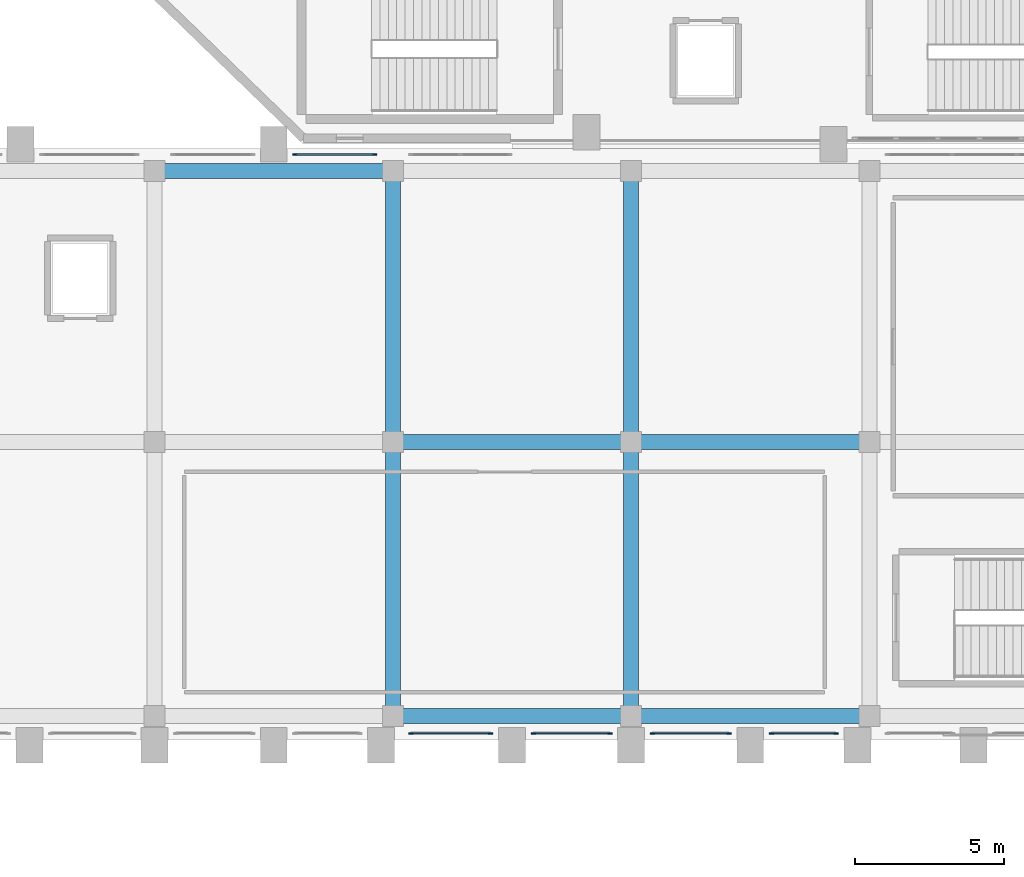
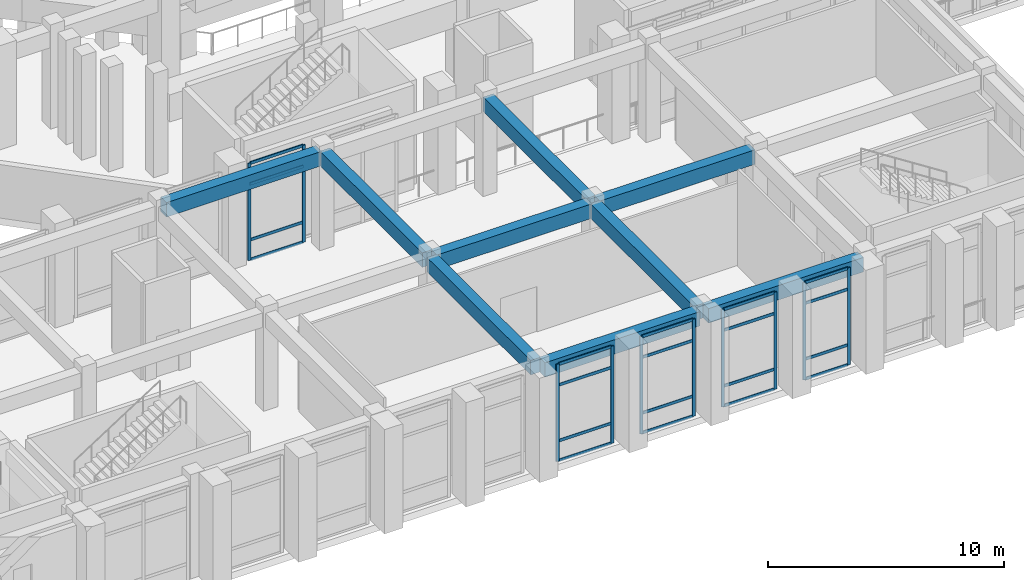
# One storey, part 21 of 159: 30 members, 9 beams, 5 elements without a shape of their own.
"""IFC4 building model written with IfcOpenShell, lengths in metres."""

from ifc_helpers import new_model, si_unit, derived_unit, direction, frame, origin, origin_2d, place, context, subcontext, project, spatial, rectangle, extrude, material, layer, layer_set, material_profile, profile_set, type_object, element, aggregate, save


model = new_model("IFC4")

# Units and contexts
model_context = context("Model", 3, precision=1e-05, world=origin(), true_north=direction((0.0, 1.0)))
body_context = subcontext(model_context, "Body", "Model", "MODEL_VIEW")
ifc_project = project(units=[si_unit("LENGTHUNIT", "METRE"), si_unit("AREAUNIT", "SQUARE_METRE"), si_unit("VOLUMEUNIT", "CUBIC_METRE"), si_unit("PLANEANGLEUNIT", "RADIAN"), si_unit("MASSUNIT", "GRAM", prefix="KILO"), derived_unit("THERMALTRANSMITTANCEUNIT", [(si_unit("MASSUNIT", "GRAM", prefix="KILO"), 1), (si_unit("TIMEUNIT", "SECOND"), -3), (si_unit("THERMODYNAMICTEMPERATUREUNIT", "KELVIN"), -1)])], contexts=[model_context])

# Site, building, storey
site_placement = place(None, origin())
site = spatial("IfcSite", under=ifc_project, at=site_placement, CompositionType="ELEMENT")
building_placement = place(site_placement, origin())
building = spatial("IfcBuilding", under=site, at=building_placement, Name="Valcora Ridge Arena", CompositionType="ELEMENT")
storey_placement = place(building_placement, frame((0.0, 0.0, 6.0)))
storey = spatial("IfcBuildingStorey", under=building, at=storey_placement, Name="L01", CompositionType="ELEMENT", Elevation=6.0)

# Beams
ifc_material_1 = material(Name="Concrete C40/50", Category="concrete")
ifc_material_profile_1 = material_profile(ifc_material_1, rectangle(XDim=0.5, YDim=0.75, at=origin_2d()), Name="RC 500x750")
ifc_profile_set_1 = profile_set([ifc_material_profile_1], Name="Concrete C40/50")
beam_type_1 = type_object("IfcBeamType", Name="TY-BEAM-B-RC500-X", PredefinedType="BEAM", material=ifc_profile_set_1)
for number, where, z_axis, x_axis, name in (
    (1, (32.199951171875, 10.0, 4.6650390625), (1.0, 0.0, 0.0), (0.0, 1.0, 0.0), "B-RC500-X BEM-B-RC500-X-0031"),
    (2, (40.199951171875, 10.0, 4.6650390625), (1.0, 0.0, 0.0), (0.0, 1.0, 0.0), "B-RC500-X BEM-B-RC500-X-0032"),
    (3, (24.199951171875, 19.10009765625, 4.6650390625), (1.0, 0.0, 0.0), (0.0, 1.0, 0.0), "B-RC500-X BEM-B-RC500-X-0037"),
):
    element("IfcBeam", number, at=place(storey_placement, frame(where, z_axis=z_axis, x_axis=x_axis)), inside=storey, type_object=beam_type_1, Name=name, PredefinedType="BEAM", context=body_context, shape_type="SweptSolid", body=[
        extrude(rectangle(XDim=0.5, YDim=0.75, at=origin_2d()), origin(), (0.0, 0.0, 1.0), 7.60009765625),
    ])
ifc_material_profile_2 = material_profile(ifc_material_1, rectangle(XDim=0.5, YDim=0.75, at=origin_2d()), Name="RC 500x750")
ifc_profile_set_2 = profile_set([ifc_material_profile_2], Name="Concrete C40/50")
beam_type_2 = type_object("IfcBeamType", Name="TY-BEAM-B-RC500-Y", PredefinedType="BEAM", material=ifc_profile_set_2)
beam_1_placement = place(storey_placement, frame((32.0, 1.0, 4.6650390625), z_axis=(0.0, 1.0, 0.0), x_axis=(-1.0, 0.0, 0.0)))
element("IfcBeam", 4, at=beam_1_placement, inside=storey, type_object=beam_type_2, Name="B-RC500-Y BEM-B-RC500-Y-0059", PredefinedType="BEAM", context=body_context, shape_type="SweptSolid", body=[
    extrude(rectangle(XDim=0.5, YDim=0.75, at=origin_2d()), origin(), (0.0, 0.0, 1.0), 8.800048828125),
])
beam_2_placement = place(storey_placement, frame((32.0, 10.199951171875, 4.6650390625), z_axis=(0.0, 1.0, 0.0), x_axis=(-1.0, 0.0, 0.0)))
element("IfcBeam", 5, at=beam_2_placement, inside=storey, type_object=beam_type_2, Name="B-RC500-Y BEM-B-RC500-Y-0060", PredefinedType="BEAM", context=body_context, shape_type="SweptSolid", body=[
    extrude(rectangle(XDim=0.5, YDim=0.75, at=origin_2d()), origin(), (0.0, 0.0, 1.0), 8.699951171875),
])
beam_3_placement = place(storey_placement, frame((40.0, 1.0, 4.6650390625), z_axis=(0.0, 1.0, 0.0), x_axis=(-1.0, 0.0, 0.0)))
element("IfcBeam", 6, at=beam_3_placement, inside=storey, type_object=beam_type_2, Name="B-RC500-Y BEM-B-RC500-Y-0061", PredefinedType="BEAM", context=body_context, shape_type="SweptSolid", body=[
    extrude(rectangle(XDim=0.5, YDim=0.75, at=origin_2d()), origin(), (0.0, 0.0, 1.0), 8.800048828125),
])
beam_4_placement = place(storey_placement, frame((40.0, 10.199951171875, 4.6650390625), z_axis=(0.0, 1.0, 0.0), x_axis=(-1.0, 0.0, 0.0)))
element("IfcBeam", 7, at=beam_4_placement, inside=storey, type_object=beam_type_2, Name="B-RC500-Y BEM-B-RC500-Y-0062", PredefinedType="BEAM", context=body_context, shape_type="SweptSolid", body=[
    extrude(rectangle(XDim=0.5, YDim=0.75, at=origin_2d()), origin(), (0.0, 0.0, 1.0), 8.699951171875),
])
ifc_material_profile_3 = material_profile(ifc_material_1, rectangle(XDim=0.5, YDim=0.75, at=origin_2d()), Name="RC 500x750")
ifc_profile_set_3 = profile_set([ifc_material_profile_3], Name="Concrete C40/50")
beam_type_3 = type_object("IfcBeamType", Name="TY-BEAM-EB-RC500", PredefinedType="BEAM", material=ifc_profile_set_3)
for number, where, z_axis, x_axis, name in (
    (8, (32.199951171875, 0.800048828125, 4.6650390625), (1.0, 0.0, 0.0), (0.0, 1.0, 0.0), "EB-RC500 BEM-EB-RC500-0014"),
    (9, (40.199951171875, 0.800048828125, 4.6650390625), (1.0, 0.0, 0.0), (0.0, 1.0, 0.0), "EB-RC500 BEM-EB-RC500-0015"),
):
    element("IfcBeam", number, at=place(storey_placement, frame(where, z_axis=z_axis, x_axis=x_axis)), inside=storey, type_object=beam_type_3, Name=name, PredefinedType="BEAM", context=body_context, shape_type="SweptSolid", body=[
        extrude(rectangle(XDim=0.5, YDim=0.75, at=origin_2d()), origin(), (0.0, 0.0, 1.0), 7.60009765625),
    ])

# Curtain wall, members
ifc_material_2 = material(Name="Anodised dark bronze architectural aluminium 6063-T6", Category="aluminium")
ifc_layer_1 = layer(ifc_material_2, 0.14990234375, Name="Anodised dark bronze architectural aluminium 6063-T6")
ifc_layer_set_1 = layer_set([ifc_layer_1], Name="Anodised dark bronze architectural aluminium 6063-T6")
curtain_wall_type_1 = type_object("IfcCurtainWallType", Name="TY-CURTAINWALL-CW-V4-CLUB-027X50", PredefinedType="NOTDEFINED", material=ifc_layer_set_1)
curtain_wall_1_placement = place(storey_placement, origin())
curtain_wall_1 = element("IfcCurtainWall", 10, at=curtain_wall_1_placement, inside=storey, type_object=curtain_wall_type_1, Name="CW-V4-CLUB-027X50 CW-0209", PredefinedType="NOTDEFINED")
ifc_material_profile_4 = material_profile(ifc_material_2, rectangle(XDim=0.050048828125, YDim=0.14990234375, at=origin_2d()), Name="ALU MULLION 50x150")
ifc_profile_set_4 = profile_set([ifc_material_profile_4], Name="Anodised dark bronze architectural aluminium 6063-T6")
member_type_1 = type_object("IfcMemberType", Name="TY-MEM-CWM-50x150", PredefinedType="MULLION", material=ifc_profile_set_4)
member_1_placement = place(storey_placement, frame((32.614990234375, 0.219970703125, 0.0), z_axis=(0.0, 0.0, 1.0), x_axis=(0.0, 1.0, 0.0)))
member_1 = element("IfcMember", 11, at=member_1_placement, type_object=member_type_1, Name="CW-0209/CWM-50x150/M00", PredefinedType="MULLION", context=body_context, shape_type="SweptSolid", body=[
    extrude(rectangle(XDim=0.050048828125, YDim=0.14990234375, at=origin_2d()), origin(), (0.0, 0.0, 1.0), 5.0400390625),
])
member_2_placement = place(storey_placement, frame((35.284912109375, 0.219970703125, 0.0), z_axis=(0.0, 0.0, 1.0), x_axis=(0.0, 1.0, 0.0)))
member_2 = element("IfcMember", 12, at=member_2_placement, type_object=member_type_1, Name="CW-0209/CWM-50x150/M01", PredefinedType="MULLION", context=body_context, shape_type="SweptSolid", body=[
    extrude(rectangle(XDim=0.050048828125, YDim=0.14990234375, at=origin_2d()), origin(), (0.0, 0.0, 1.0), 5.0400390625),
])

ifc_layer_2 = layer(ifc_material_2, 0.14990234375, Name="Anodised dark bronze architectural aluminium 6063-T6")
ifc_layer_set_2 = layer_set([ifc_layer_2], Name="Anodised dark bronze architectural aluminium 6063-T6")
curtain_wall_type_2 = type_object("IfcCurtainWallType", Name="TY-CURTAINWALL-CW-V4-CLUB-026X50", PredefinedType="NOTDEFINED", material=ifc_layer_set_2)
curtain_wall_2_placement = place(storey_placement, origin())
curtain_wall_2 = element("IfcCurtainWall", 13, at=curtain_wall_2_placement, inside=storey, type_object=curtain_wall_type_2, Name="CW-V4-CLUB-026X50 CW-0210", PredefinedType="NOTDEFINED")
member_3_placement = place(storey_placement, frame((36.715087890625, 0.219970703125, 0.0), z_axis=(0.0, 0.0, 1.0), x_axis=(0.0, 1.0, 0.0)))
member_3 = element("IfcMember", 14, at=member_3_placement, type_object=member_type_1, Name="CW-0210/CWM-50x150/M00", PredefinedType="MULLION", context=body_context, shape_type="SweptSolid", body=[
    extrude(rectangle(XDim=0.050048828125, YDim=0.14990234375, at=origin_2d()), origin(), (0.0, 0.0, 1.0), 5.0400390625),
])
member_4_placement = place(storey_placement, frame((39.284912109375, 0.219970703125, 0.0), z_axis=(0.0, 0.0, 1.0), x_axis=(0.0, 1.0, 0.0)))
member_4 = element("IfcMember", 15, at=member_4_placement, type_object=member_type_1, Name="CW-0210/CWM-50x150/M01", PredefinedType="MULLION", context=body_context, shape_type="SweptSolid", body=[
    extrude(rectangle(XDim=0.050048828125, YDim=0.14990234375, at=origin_2d()), origin(), (0.0, 0.0, 1.0), 5.0400390625),
])

curtain_wall_3_placement = place(storey_placement, origin())
curtain_wall_3 = element("IfcCurtainWall", 16, at=curtain_wall_3_placement, inside=storey, type_object=curtain_wall_type_2, Name="CW-V4-CLUB-026X50 CW-0211", PredefinedType="NOTDEFINED")
member_5_placement = place(storey_placement, frame((40.715087890625, 0.219970703125, 0.0), z_axis=(0.0, 0.0, 1.0), x_axis=(0.0, 1.0, 0.0)))
member_5 = element("IfcMember", 17, at=member_5_placement, type_object=member_type_1, Name="CW-0211/CWM-50x150/M00", PredefinedType="MULLION", context=body_context, shape_type="SweptSolid", body=[
    extrude(rectangle(XDim=0.050048828125, YDim=0.14990234375, at=origin_2d()), origin(), (0.0, 0.0, 1.0), 5.0400390625),
])
member_6_placement = place(storey_placement, frame((43.284912109375, 0.219970703125, 0.0), z_axis=(0.0, 0.0, 1.0), x_axis=(0.0, 1.0, 0.0)))
member_6 = element("IfcMember", 18, at=member_6_placement, type_object=member_type_1, Name="CW-0211/CWM-50x150/M01", PredefinedType="MULLION", context=body_context, shape_type="SweptSolid", body=[
    extrude(rectangle(XDim=0.050048828125, YDim=0.14990234375, at=origin_2d()), origin(), (0.0, 0.0, 1.0), 5.0400390625),
])

ifc_layer_3 = layer(ifc_material_2, 0.14990234375, Name="Anodised dark bronze architectural aluminium 6063-T6")
ifc_layer_set_3 = layer_set([ifc_layer_3], Name="Anodised dark bronze architectural aluminium 6063-T6")
curtain_wall_type_3 = type_object("IfcCurtainWallType", Name="TY-CURTAINWALL-CW-V4-CLUB-022X50", PredefinedType="NOTDEFINED", material=ifc_layer_set_3)
curtain_wall_4_placement = place(storey_placement, origin())
curtain_wall_4 = element("IfcCurtainWall", 19, at=curtain_wall_4_placement, inside=storey, type_object=curtain_wall_type_3, Name="CW-V4-CLUB-022X50 CW-0212", PredefinedType="NOTDEFINED")
member_7_placement = place(storey_placement, frame((44.715087890625, 0.219970703125, 0.0), z_axis=(0.0, 0.0, 1.0), x_axis=(0.0, 1.0, 0.0)))
member_7 = element("IfcMember", 20, at=member_7_placement, type_object=member_type_1, Name="CW-0212/CWM-50x150/M00", PredefinedType="MULLION", context=body_context, shape_type="SweptSolid", body=[
    extrude(rectangle(XDim=0.050048828125, YDim=0.14990234375, at=origin_2d()), origin(), (0.0, 0.0, 1.0), 5.0400390625),
])
member_8_placement = place(storey_placement, frame((46.885009765625, 0.219970703125, 0.0), z_axis=(0.0, 0.0, 1.0), x_axis=(0.0, 1.0, 0.0)))
member_8 = element("IfcMember", 21, at=member_8_placement, type_object=member_type_1, Name="CW-0212/CWM-50x150/M01", PredefinedType="MULLION", context=body_context, shape_type="SweptSolid", body=[
    extrude(rectangle(XDim=0.050048828125, YDim=0.14990234375, at=origin_2d()), origin(), (0.0, 0.0, 1.0), 5.0400390625),
])

curtain_wall_5_placement = place(storey_placement, origin())
curtain_wall_5 = element("IfcCurtainWall", 22, at=curtain_wall_5_placement, inside=storey, type_object=curtain_wall_type_1, Name="CW-V4-CLUB-027X50 CW-0219", PredefinedType="NOTDEFINED")
member_9_placement = place(storey_placement, frame((28.715087890625, 19.64990234375, 0.0), z_axis=(0.0, 0.0, 1.0), x_axis=(0.0, 1.0, 0.0)))
member_9 = element("IfcMember", 23, at=member_9_placement, type_object=member_type_1, Name="CW-0219/CWM-50x150/M00", PredefinedType="MULLION", context=body_context, shape_type="SweptSolid", body=[
    extrude(rectangle(XDim=0.050048828125, YDim=0.14990234375, at=origin_2d()), origin(), (0.0, 0.0, 1.0), 5.0400390625),
])
member_10_placement = place(storey_placement, frame((31.385009765625, 19.64990234375, 0.0), z_axis=(0.0, 0.0, 1.0), x_axis=(0.0, 1.0, 0.0)))
member_10 = element("IfcMember", 24, at=member_10_placement, type_object=member_type_1, Name="CW-0219/CWM-50x150/M01", PredefinedType="MULLION", context=body_context, shape_type="SweptSolid", body=[
    extrude(rectangle(XDim=0.050048828125, YDim=0.14990234375, at=origin_2d()), origin(), (0.0, 0.0, 1.0), 5.0400390625),
])

# Member
ifc_material_profile_5 = material_profile(ifc_material_2, rectangle(XDim=0.050048828125, YDim=0.14990234375, at=origin_2d()), Name="ALU TRANSOM 50x150")
ifc_profile_set_5 = profile_set([ifc_material_profile_5], Name="Anodised dark bronze architectural aluminium 6063-T6")
member_type_2 = type_object("IfcMemberType", Name="TY-MEM-CWT-50x150", PredefinedType="USERDEFINED", material=ifc_profile_set_5)
member_11_placement = place(storey_placement, frame((32.639892578125, 0.219970703125, 0.02490234375), z_axis=(1.0, 0.0, 0.0), x_axis=(0.0, 1.0, 0.0)))
member_11 = element("IfcMember", 25, at=member_11_placement, type_object=member_type_2, Name="CW-0209/CWT-50x150/T00-00", ObjectType="TRANSOM", PredefinedType="USERDEFINED", context=body_context, shape_type="SweptSolid", body=[
    extrude(rectangle(XDim=0.050048828125, YDim=0.14990234375, at=origin_2d()), origin(), (0.0, 0.0, 1.0), 2.6201171875),
])

member_12_placement = place(storey_placement, frame((32.639892578125, 0.219970703125, 1.050048828125), z_axis=(1.0, 0.0, 0.0), x_axis=(0.0, 1.0, 0.0)))
member_12 = element("IfcMember", 26, at=member_12_placement, type_object=member_type_2, Name="CW-0209/CWT-50x150/T00-01", ObjectType="TRANSOM", PredefinedType="USERDEFINED", context=body_context, shape_type="SweptSolid", body=[
    extrude(rectangle(XDim=0.050048828125, YDim=0.14990234375, at=origin_2d()), origin(), (0.0, 0.0, 1.0), 2.6201171875),
])

member_13_placement = place(storey_placement, frame((32.639892578125, 0.219970703125, 3.93994140625), z_axis=(1.0, 0.0, 0.0), x_axis=(0.0, 1.0, 0.0)))
member_13 = element("IfcMember", 27, at=member_13_placement, type_object=member_type_2, Name="CW-0209/CWT-50x150/T00-02", ObjectType="TRANSOM", PredefinedType="USERDEFINED", context=body_context, shape_type="SweptSolid", body=[
    extrude(rectangle(XDim=0.050048828125, YDim=0.14990234375, at=origin_2d()), origin(), (0.0, 0.0, 1.0), 2.6201171875),
])

member_14_placement = place(storey_placement, frame((32.639892578125, 0.219970703125, 5.014892578125), z_axis=(1.0, 0.0, 0.0), x_axis=(0.0, 1.0, 0.0)))
member_14 = element("IfcMember", 28, at=member_14_placement, type_object=member_type_2, Name="CW-0209/CWT-50x150/T00-03", ObjectType="TRANSOM", PredefinedType="USERDEFINED", context=body_context, shape_type="SweptSolid", body=[
    extrude(rectangle(XDim=0.050048828125, YDim=0.14990234375, at=origin_2d()), origin(), (0.0, 0.0, 1.0), 2.6201171875),
])

aggregate(curtain_wall_1, [member_1, member_2, member_11, member_12, member_13, member_14])

member_15_placement = place(storey_placement, frame((36.739990234375, 0.219970703125, 0.02490234375), z_axis=(1.0, 0.0, 0.0), x_axis=(0.0, 1.0, 0.0)))
member_15 = element("IfcMember", 29, at=member_15_placement, type_object=member_type_2, Name="CW-0210/CWT-50x150/T00-00", ObjectType="TRANSOM", PredefinedType="USERDEFINED", context=body_context, shape_type="SweptSolid", body=[
    extrude(rectangle(XDim=0.050048828125, YDim=0.14990234375, at=origin_2d()), origin(), (0.0, 0.0, 1.0), 2.52001953125),
])

member_16_placement = place(storey_placement, frame((36.739990234375, 0.219970703125, 1.050048828125), z_axis=(1.0, 0.0, 0.0), x_axis=(0.0, 1.0, 0.0)))
member_16 = element("IfcMember", 30, at=member_16_placement, type_object=member_type_2, Name="CW-0210/CWT-50x150/T00-01", ObjectType="TRANSOM", PredefinedType="USERDEFINED", context=body_context, shape_type="SweptSolid", body=[
    extrude(rectangle(XDim=0.050048828125, YDim=0.14990234375, at=origin_2d()), origin(), (0.0, 0.0, 1.0), 2.52001953125),
])

member_17_placement = place(storey_placement, frame((36.739990234375, 0.219970703125, 3.93994140625), z_axis=(1.0, 0.0, 0.0), x_axis=(0.0, 1.0, 0.0)))
member_17 = element("IfcMember", 31, at=member_17_placement, type_object=member_type_2, Name="CW-0210/CWT-50x150/T00-02", ObjectType="TRANSOM", PredefinedType="USERDEFINED", context=body_context, shape_type="SweptSolid", body=[
    extrude(rectangle(XDim=0.050048828125, YDim=0.14990234375, at=origin_2d()), origin(), (0.0, 0.0, 1.0), 2.52001953125),
])

member_18_placement = place(storey_placement, frame((36.739990234375, 0.219970703125, 5.014892578125), z_axis=(1.0, 0.0, 0.0), x_axis=(0.0, 1.0, 0.0)))
member_18 = element("IfcMember", 32, at=member_18_placement, type_object=member_type_2, Name="CW-0210/CWT-50x150/T00-03", ObjectType="TRANSOM", PredefinedType="USERDEFINED", context=body_context, shape_type="SweptSolid", body=[
    extrude(rectangle(XDim=0.050048828125, YDim=0.14990234375, at=origin_2d()), origin(), (0.0, 0.0, 1.0), 2.52001953125),
])

aggregate(curtain_wall_2, [member_3, member_4, member_15, member_16, member_17, member_18])

member_19_placement = place(storey_placement, frame((40.739990234375, 0.219970703125, 0.02490234375), z_axis=(1.0, 0.0, 0.0), x_axis=(0.0, 1.0, 0.0)))
member_19 = element("IfcMember", 33, at=member_19_placement, type_object=member_type_2, Name="CW-0211/CWT-50x150/T00-00", ObjectType="TRANSOM", PredefinedType="USERDEFINED", context=body_context, shape_type="SweptSolid", body=[
    extrude(rectangle(XDim=0.050048828125, YDim=0.14990234375, at=origin_2d()), origin(), (0.0, 0.0, 1.0), 2.52001953125),
])

member_20_placement = place(storey_placement, frame((40.739990234375, 0.219970703125, 1.050048828125), z_axis=(1.0, 0.0, 0.0), x_axis=(0.0, 1.0, 0.0)))
member_20 = element("IfcMember", 34, at=member_20_placement, type_object=member_type_2, Name="CW-0211/CWT-50x150/T00-01", ObjectType="TRANSOM", PredefinedType="USERDEFINED", context=body_context, shape_type="SweptSolid", body=[
    extrude(rectangle(XDim=0.050048828125, YDim=0.14990234375, at=origin_2d()), origin(), (0.0, 0.0, 1.0), 2.52001953125),
])

member_21_placement = place(storey_placement, frame((40.739990234375, 0.219970703125, 3.93994140625), z_axis=(1.0, 0.0, 0.0), x_axis=(0.0, 1.0, 0.0)))
member_21 = element("IfcMember", 35, at=member_21_placement, type_object=member_type_2, Name="CW-0211/CWT-50x150/T00-02", ObjectType="TRANSOM", PredefinedType="USERDEFINED", context=body_context, shape_type="SweptSolid", body=[
    extrude(rectangle(XDim=0.050048828125, YDim=0.14990234375, at=origin_2d()), origin(), (0.0, 0.0, 1.0), 2.52001953125),
])

member_22_placement = place(storey_placement, frame((40.739990234375, 0.219970703125, 5.014892578125), z_axis=(1.0, 0.0, 0.0), x_axis=(0.0, 1.0, 0.0)))
member_22 = element("IfcMember", 36, at=member_22_placement, type_object=member_type_2, Name="CW-0211/CWT-50x150/T00-03", ObjectType="TRANSOM", PredefinedType="USERDEFINED", context=body_context, shape_type="SweptSolid", body=[
    extrude(rectangle(XDim=0.050048828125, YDim=0.14990234375, at=origin_2d()), origin(), (0.0, 0.0, 1.0), 2.52001953125),
])

aggregate(curtain_wall_3, [member_5, member_6, member_19, member_20, member_21, member_22])

member_23_placement = place(storey_placement, frame((44.739990234375, 0.219970703125, 0.02490234375), z_axis=(1.0, 0.0, 0.0), x_axis=(0.0, 1.0, 0.0)))
member_23 = element("IfcMember", 37, at=member_23_placement, type_object=member_type_2, Name="CW-0212/CWT-50x150/T00-00", ObjectType="TRANSOM", PredefinedType="USERDEFINED", context=body_context, shape_type="SweptSolid", body=[
    extrude(rectangle(XDim=0.050048828125, YDim=0.14990234375, at=origin_2d()), origin(), (0.0, 0.0, 1.0), 2.1201171875),
])

member_24_placement = place(storey_placement, frame((44.739990234375, 0.219970703125, 1.050048828125), z_axis=(1.0, 0.0, 0.0), x_axis=(0.0, 1.0, 0.0)))
member_24 = element("IfcMember", 38, at=member_24_placement, type_object=member_type_2, Name="CW-0212/CWT-50x150/T00-01", ObjectType="TRANSOM", PredefinedType="USERDEFINED", context=body_context, shape_type="SweptSolid", body=[
    extrude(rectangle(XDim=0.050048828125, YDim=0.14990234375, at=origin_2d()), origin(), (0.0, 0.0, 1.0), 2.1201171875),
])

member_25_placement = place(storey_placement, frame((44.739990234375, 0.219970703125, 3.93994140625), z_axis=(1.0, 0.0, 0.0), x_axis=(0.0, 1.0, 0.0)))
member_25 = element("IfcMember", 39, at=member_25_placement, type_object=member_type_2, Name="CW-0212/CWT-50x150/T00-02", ObjectType="TRANSOM", PredefinedType="USERDEFINED", context=body_context, shape_type="SweptSolid", body=[
    extrude(rectangle(XDim=0.050048828125, YDim=0.14990234375, at=origin_2d()), origin(), (0.0, 0.0, 1.0), 2.1201171875),
])

member_26_placement = place(storey_placement, frame((44.739990234375, 0.219970703125, 5.014892578125), z_axis=(1.0, 0.0, 0.0), x_axis=(0.0, 1.0, 0.0)))
member_26 = element("IfcMember", 40, at=member_26_placement, type_object=member_type_2, Name="CW-0212/CWT-50x150/T00-03", ObjectType="TRANSOM", PredefinedType="USERDEFINED", context=body_context, shape_type="SweptSolid", body=[
    extrude(rectangle(XDim=0.050048828125, YDim=0.14990234375, at=origin_2d()), origin(), (0.0, 0.0, 1.0), 2.1201171875),
])

aggregate(curtain_wall_4, [member_7, member_8, member_23, member_24, member_25, member_26])

member_27_placement = place(storey_placement, frame((28.739990234375, 19.64990234375, 0.02490234375), z_axis=(1.0, 0.0, 0.0), x_axis=(0.0, 1.0, 0.0)))
member_27 = element("IfcMember", 41, at=member_27_placement, type_object=member_type_2, Name="CW-0219/CWT-50x150/T00-00", ObjectType="TRANSOM", PredefinedType="USERDEFINED", context=body_context, shape_type="SweptSolid", body=[
    extrude(rectangle(XDim=0.050048828125, YDim=0.14990234375, at=origin_2d()), origin(), (0.0, 0.0, 1.0), 2.6201171875),
])

member_28_placement = place(storey_placement, frame((28.739990234375, 19.64990234375, 1.050048828125), z_axis=(1.0, 0.0, 0.0), x_axis=(0.0, 1.0, 0.0)))
member_28 = element("IfcMember", 42, at=member_28_placement, type_object=member_type_2, Name="CW-0219/CWT-50x150/T00-01", ObjectType="TRANSOM", PredefinedType="USERDEFINED", context=body_context, shape_type="SweptSolid", body=[
    extrude(rectangle(XDim=0.050048828125, YDim=0.14990234375, at=origin_2d()), origin(), (0.0, 0.0, 1.0), 2.6201171875),
])

member_29_placement = place(storey_placement, frame((28.739990234375, 19.64990234375, 3.93994140625), z_axis=(1.0, 0.0, 0.0), x_axis=(0.0, 1.0, 0.0)))
member_29 = element("IfcMember", 43, at=member_29_placement, type_object=member_type_2, Name="CW-0219/CWT-50x150/T00-02", ObjectType="TRANSOM", PredefinedType="USERDEFINED", context=body_context, shape_type="SweptSolid", body=[
    extrude(rectangle(XDim=0.050048828125, YDim=0.14990234375, at=origin_2d()), origin(), (0.0, 0.0, 1.0), 2.6201171875),
])

member_30_placement = place(storey_placement, frame((28.739990234375, 19.64990234375, 5.014892578125), z_axis=(1.0, 0.0, 0.0), x_axis=(0.0, 1.0, 0.0)))
member_30 = element("IfcMember", 44, at=member_30_placement, type_object=member_type_2, Name="CW-0219/CWT-50x150/T00-03", ObjectType="TRANSOM", PredefinedType="USERDEFINED", context=body_context, shape_type="SweptSolid", body=[
    extrude(rectangle(XDim=0.050048828125, YDim=0.14990234375, at=origin_2d()), origin(), (0.0, 0.0, 1.0), 2.6201171875),
])

aggregate(curtain_wall_5, [member_9, member_10, member_27, member_28, member_29, member_30])

save(model, "model.ifc")
